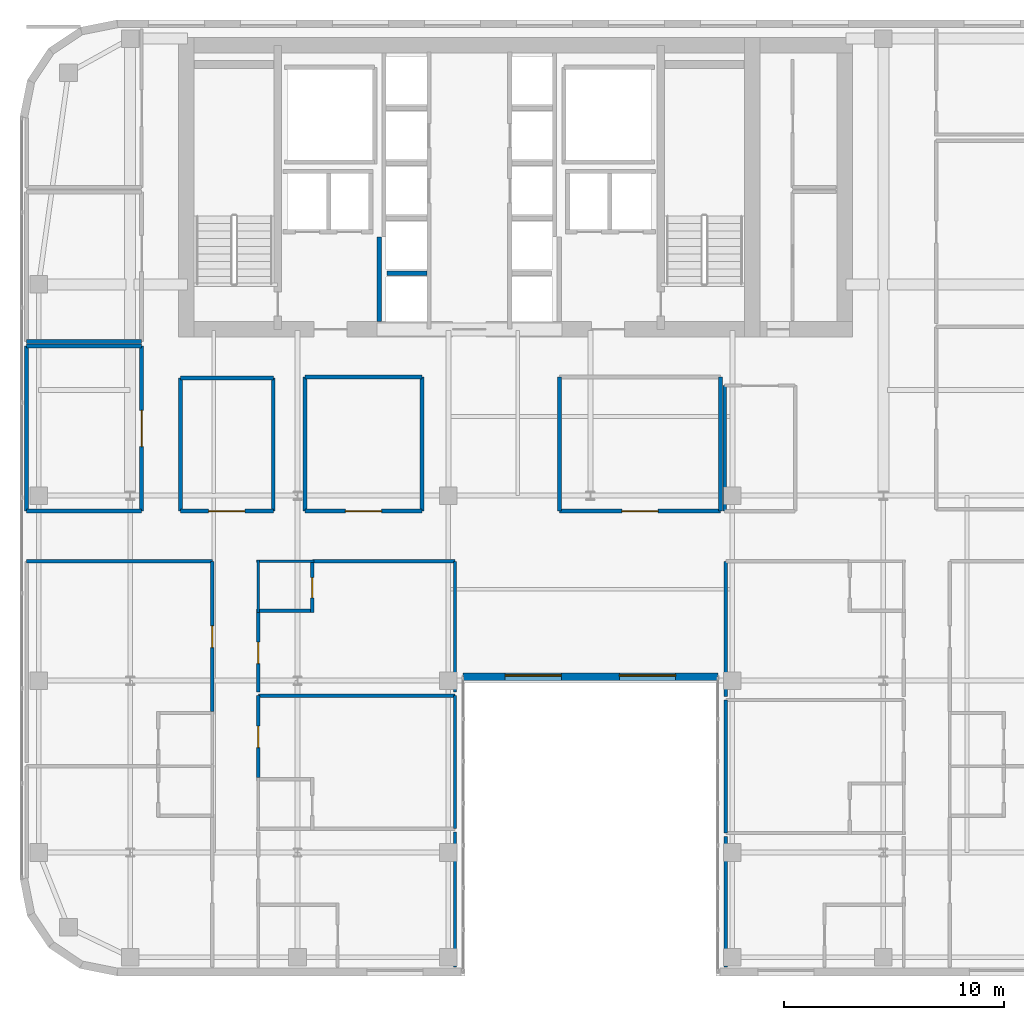
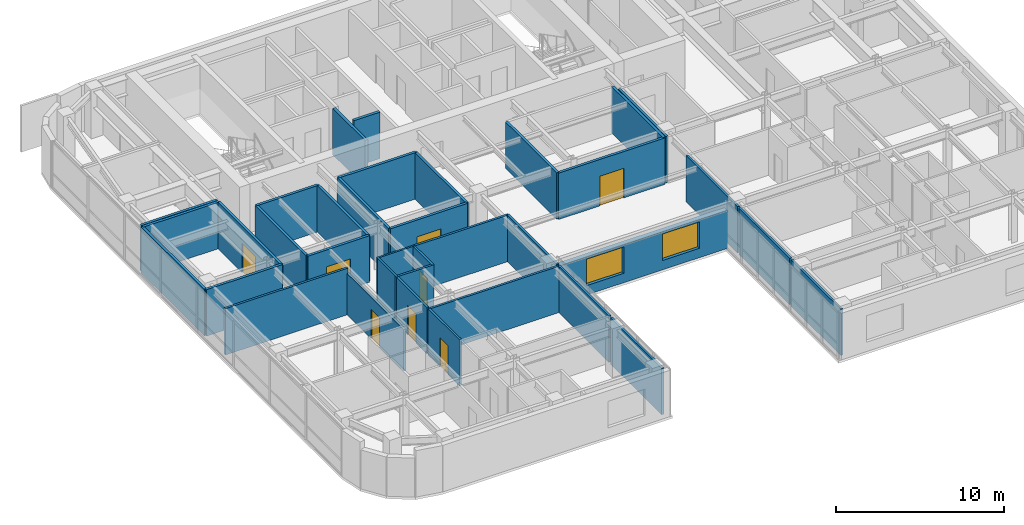
# One storey, part 18 of 24: 36 walls, 8 doors, 2 windows, 10 openings.
"""IFC4 building model written with IfcOpenShell, lengths in metres."""

from ifc_helpers import new_model, si_unit, direction, frame, frame_2d, origin, place, context, subcontext, project, spatial, rectangle, extrude, source, transform, mapped, material, layer, layer_set, type_object, type_shapes, element, fill, save


model = new_model("IFC4")

# Units and contexts
model_context = context("Model", 3, precision=1e-05, world=origin(), true_north=direction((0.0, 1.0)))
body_context = subcontext(model_context, "Body", "Model", "MODEL_VIEW")
ifc_project = project(units=[si_unit("LENGTHUNIT", "METRE"), si_unit("AREAUNIT", "SQUARE_METRE"), si_unit("VOLUMEUNIT", "CUBIC_METRE"), si_unit("PLANEANGLEUNIT", "RADIAN"), si_unit("MASSUNIT", "GRAM", prefix="KILO")], contexts=[model_context])

# Site, building, storey
site_placement = place(None, origin())
site = spatial("IfcSite", under=ifc_project, at=site_placement, CompositionType="ELEMENT")
building_placement = place(site_placement, origin())
building = spatial("IfcBuilding", under=site, at=building_placement, Name="Tolvann Quenvar Hotel", CompositionType="ELEMENT")
storey_placement = place(building_placement, frame((0.0, 0.0, 194.64990234375)))
storey = spatial("IfcBuildingStorey", under=building, at=storey_placement, Name="L51", CompositionType="ELEMENT", Elevation=194.64990234375)

# Wall, openings, windows
ifc_material_1 = material(Name="Kiln-fired red and buff architectural clay brickwork and terracotta masonry", Category="masonry")
ifc_layer_1 = layer(ifc_material_1, 0.35009765625)
ifc_layer_set_1 = layer_set([ifc_layer_1], Name="Kiln-fired red and buff architectural clay brickwork and terracotta masonry")
wall_type_1 = type_object("IfcWallType", Name="WALL_EXT_BRICK_350", PredefinedType="SOLIDWALL", material=ifc_layer_set_1)
wall_1_placement = place(storey_placement, frame((22.7099609375, 16.175048828125, 0.0), z_axis=(0.0, 0.0, 1.0), x_axis=(1.0, 0.0, 0.0)))
wall_1 = element("IfcWall", 1, at=wall_1_placement, inside=storey, type_object=wall_type_1, Name="Exterior Chicago Brick Wall L51-E06", PredefinedType="SOLIDWALL", context=body_context, shape_type="SweptSolid", body=[
    extrude(rectangle(XDim=11.580078125, YDim=0.35009765625, at=frame_2d((5.7900390625, 0.0))), origin(), (0.0, 0.0, 1.0), 2.758056640625),
])
opening_1_placement = place(wall_1_placement, frame((1.919921875, 0.0, 0.679931640625)))
opening_1 = element("IfcOpeningElement", 2, at=opening_1_placement, cuts=wall_1, Name="Opening W-09", PredefinedType="OPENING", context=body_context, shape_type="SweptSolid", body=[
    extrude(rectangle(XDim=2.550048828125, YDim=1.919921875, at=frame_2d((1.27490234375, 0.9599609375))), frame((0.0, 0.18505859375, 0.0), z_axis=(0.0, -1.0, 0.0), x_axis=(1.0, 0.0, 0.0)), (0.0, 0.0, 1.0), 0.3701171875),
])
opening_2_placement = place(wall_1_placement, frame((7.110107421875, 0.0, 0.679931640625)))
opening_2 = element("IfcOpeningElement", 3, at=opening_2_placement, cuts=wall_1, Name="Opening W-09", PredefinedType="OPENING", context=body_context, shape_type="SweptSolid", body=[
    extrude(rectangle(XDim=2.550048828125, YDim=1.919921875, at=frame_2d((1.27490234375, 0.9599609375))), frame((0.0, 0.18505859375, 0.0), z_axis=(0.0, -1.0, 0.0), x_axis=(1.0, 0.0, 0.0)), (0.0, 0.0, 1.0), 0.3701171875),
])
ifc_material_2 = material(Name="Thermally broken bronze-anodised aluminium frame with double low-E glazing", Category="aluminium")
window_type = type_object("IfcWindowType", Name="WIN_LNG_2550x1950", PartitioningType="TRIPLE_PANEL_HORIZONTAL", PredefinedType="WINDOW", material=ifc_material_2)
shared_shape_1 = source(origin(), body_context, "Body", "SweptSolid", [
    extrude(rectangle(XDim=2.550048828125, YDim=1.919921875, at=frame_2d((1.27490234375, 0.9599609375))), frame((0.0, 0.090087890625, 0.0), z_axis=(0.0, -1.0, 0.0), x_axis=(1.0, 0.0, 0.0)), (0.0, 0.0, 1.0), 0.06005859375),
])
type_shapes(window_type, [shared_shape_1])
window_1_placement = place(opening_1_placement, origin())
window_1 = element("IfcWindow", 4, at=window_1_placement, inside=storey, type_object=window_type, Name="Chicago Window W-09 (EW-L51-E06-W01)", OverallHeight=1.919921875, OverallWidth=2.550048828125, PartitioningType="TRIPLE_PANEL_HORIZONTAL", PredefinedType="WINDOW", context=body_context, shape_type="MappedRepresentation", body=[
    mapped(shared_shape_1, transform((0.0, 0.0, 0.0), x_axis=(1.0, 0.0, 0.0), y_axis=(0.0, 1.0, 0.0), z_axis=(0.0, 0.0, 1.0), scale=1.0)),
])
fill(opening_1, window_1)
window_2_placement = place(opening_2_placement, origin())
window_2 = element("IfcWindow", 5, at=window_2_placement, inside=storey, type_object=window_type, Name="Chicago Window W-09 (EW-L51-E06-W02)", OverallHeight=1.919921875, OverallWidth=2.550048828125, PartitioningType="TRIPLE_PANEL_HORIZONTAL", PredefinedType="WINDOW", context=body_context, shape_type="MappedRepresentation", body=[
    mapped(shared_shape_1, transform((0.0, 0.0, 0.0), x_axis=(1.0, 0.0, 0.0), y_axis=(0.0, 1.0, 0.0), z_axis=(0.0, 0.0, 1.0), scale=1.0)),
])
fill(opening_2, window_2)

# Walls
ifc_material_3 = material(Name="Acoustic twin-stud fire-rated gypsum plasterboard partition")
ifc_layer_2 = layer(ifc_material_3, 0.179931640625)
ifc_layer_set_2 = layer_set([ifc_layer_2], Name="Acoustic twin-stud fire-rated gypsum plasterboard partition")
wall_type_2 = type_object("IfcWallType", Name="WALL_PART_ACOUSTIC_180", PredefinedType="PARTITIONING", material=ifc_layer_set_2)
for number, where, z_axis, x_axis, name in (
    (6, (2.89990234375, 23.699951171875, 0.0), (0.0, 0.0, 1.0), (1.0, 0.0, 0.0), "Interior Partition PT-SPC-L51-SAL-S"),
    (7, (2.89990234375, 31.199951171875, 0.0), (0.0, 0.0, 1.0), (1.0, 0.0, 0.0), "Interior Partition PT-SPC-L51-SAL-N"),
):
    element("IfcWall", number, at=place(storey_placement, frame(where, z_axis=z_axis, x_axis=x_axis)), inside=storey, type_object=wall_type_2, Name=name, PredefinedType="PARTITIONING", context=body_context, shape_type="SweptSolid", body=[
        extrude(rectangle(XDim=5.22021484375, YDim=0.179931640625, at=frame_2d((2.610107421875, 0.0))), origin(), (0.0, 0.0, 1.0), 3.3701171875),
    ])
wall_2_placement = place(storey_placement, frame((2.89990234375, 23.699951171875, 0.0), z_axis=(0.0, 0.0, 1.0), x_axis=(0.0, 1.0, 0.0)))
element("IfcWall", 8, at=wall_2_placement, inside=storey, type_object=wall_type_2, Name="Interior Partition PT-SPC-L51-SAL-W", PredefinedType="PARTITIONING", context=body_context, shape_type="SweptSolid", body=[
    extrude(rectangle(XDim=7.5, YDim=0.179931640625, at=frame_2d((3.75, 0.0))), origin(), (0.0, 0.0, 1.0), 3.3701171875),
])

# Wall, opening, door
wall_3_placement = place(storey_placement, frame((8.1201171875, 23.699951171875, 0.0), z_axis=(0.0, 0.0, 1.0), x_axis=(0.0, 1.0, 0.0)))
wall_3 = element("IfcWall", 9, at=wall_3_placement, inside=storey, type_object=wall_type_2, Name="Interior Partition PT-SPC-L51-SAL-E", PredefinedType="PARTITIONING", context=body_context, shape_type="SweptSolid", body=[
    extrude(rectangle(XDim=7.5, YDim=0.179931640625, at=frame_2d((3.75, 0.0))), origin(), (0.0, 0.0, 1.0), 3.3701171875),
])
opening_3_placement = place(wall_3_placement, frame((2.925048828125, 0.0, 0.0)))
opening_3 = element("IfcOpeningElement", 10, at=opening_3_placement, cuts=wall_3, Name="Opening AD-01", PredefinedType="OPENING", context=body_context, shape_type="SweptSolid", body=[
    extrude(rectangle(XDim=1.64990234375, YDim=2.14990234375, at=frame_2d((0.824951171875, 1.074951171875))), frame((0.0, 0.10009765625, 0.0), z_axis=(0.0, -1.0, 0.0), x_axis=(1.0, 0.0, 0.0)), (0.0, 0.0, 1.0), 0.199951171875),
])
ifc_material_4 = material(Name="Solid-core American oak acoustic fire door leaf in steel frame", Category="steel")
door_type_1 = type_object("IfcDoorType", Name="DOOR_SALON_1650", OperationType="NOTDEFINED", PredefinedType="DOOR", material=ifc_material_4)
shared_shape_2 = source(origin(), body_context, "Body", "SweptSolid", [
    extrude(rectangle(XDim=1.64990234375, YDim=2.14990234375, at=frame_2d((0.824951171875, 1.074951171875))), frame((0.0, 0.02490234375, 0.0), z_axis=(0.0, -1.0, 0.0), x_axis=(1.0, 0.0, 0.0)), (0.0, 0.0, 1.0), 0.050048828125),
])
type_shapes(door_type_1, [shared_shape_2])
door_1_placement = place(opening_3_placement, origin())
door_1 = element("IfcDoor", 11, at=door_1_placement, inside=storey, type_object=door_type_1, Name="Interior Door DOOR-SPC-L51-SAL", OperationType="DOUBLE_DOOR_SINGLE_SWING", OverallHeight=2.14990234375, OverallWidth=1.64990234375, PredefinedType="DOOR", context=body_context, shape_type="MappedRepresentation", body=[
    mapped(shared_shape_2, transform((0.0, 0.0, 0.0), x_axis=(1.0, 0.0, 0.0), y_axis=(0.0, 1.0, 0.0), z_axis=(0.0, 0.0, 1.0), scale=1.0)),
])
fill(opening_3, door_1)

# Wall
wall_4_placement = place(storey_placement, frame((2.89990234375, 31.39990234375, 0.0), z_axis=(0.0, 0.0, 1.0), x_axis=(1.0, 0.0, 0.0)))
element("IfcWall", 12, at=wall_4_placement, inside=storey, type_object=wall_type_2, Name="Interior Partition PT-SPC-L51-MTG-S", PredefinedType="PARTITIONING", context=body_context, shape_type="SweptSolid", body=[
    extrude(rectangle(XDim=5.22021484375, YDim=0.179931640625, at=frame_2d((2.610107421875, 0.0))), origin(), (0.0, 0.0, 1.0), 3.3701171875),
])

# Wall, opening, door
wall_5_placement = place(storey_placement, frame((9.8798828125, 23.699951171875, 0.0), z_axis=(0.0, 0.0, 1.0), x_axis=(1.0, 0.0, 0.0)))
wall_5 = element("IfcWall", 13, at=wall_5_placement, inside=storey, type_object=wall_type_2, Name="Interior Partition PT-SPC-L51-MSP-W-S", PredefinedType="PARTITIONING", context=body_context, shape_type="SweptSolid", body=[
    extrude(rectangle(XDim=4.22021484375, YDim=0.179931640625, at=frame_2d((2.110107421875, 0.0))), origin(), (0.0, 0.0, 1.0), 3.3701171875),
])
opening_4_placement = place(wall_5_placement, frame((1.284912109375, 0.0, 0.0)))
opening_4 = element("IfcOpeningElement", 14, at=opening_4_placement, cuts=wall_5, Name="Opening AD-01", PredefinedType="OPENING", context=body_context, shape_type="SweptSolid", body=[
    extrude(rectangle(XDim=1.64990234375, YDim=2.14990234375, at=frame_2d((0.824951171875, 1.074951171875))), frame((0.0, 0.10009765625, 0.0), z_axis=(0.0, -1.0, 0.0), x_axis=(1.0, 0.0, 0.0)), (0.0, 0.0, 1.0), 0.199951171875),
])
door_2_placement = place(opening_4_placement, origin())
door_2 = element("IfcDoor", 15, at=door_2_placement, inside=storey, type_object=door_type_1, Name="Interior Door DOOR-SPC-L51-MSP-W", OperationType="DOUBLE_DOOR_SINGLE_SWING", OverallHeight=2.14990234375, OverallWidth=1.64990234375, PredefinedType="DOOR", context=body_context, shape_type="MappedRepresentation", body=[
    mapped(shared_shape_2, transform((0.0, 0.0, 0.0), x_axis=(1.0, 0.0, 0.0), y_axis=(0.0, 1.0, 0.0), z_axis=(0.0, 0.0, 1.0), scale=1.0)),
])
fill(opening_4, door_2)

# Walls
wall_6_placement = place(storey_placement, frame((9.8798828125, 29.75, 0.0), z_axis=(0.0, 0.0, 1.0), x_axis=(1.0, 0.0, 0.0)))
element("IfcWall", 16, at=wall_6_placement, inside=storey, type_object=wall_type_2, Name="Interior Partition PT-SPC-L51-MSP-W-N", PredefinedType="PARTITIONING", context=body_context, shape_type="SweptSolid", body=[
    extrude(rectangle(XDim=4.22021484375, YDim=0.179931640625, at=frame_2d((2.110107421875, 0.0))), origin(), (0.0, 0.0, 1.0), 3.3701171875),
])
for number, where, z_axis, x_axis, name in (
    (17, (9.8798828125, 23.699951171875, 0.0), (0.0, 0.0, 1.0), (0.0, 1.0, 0.0), "Interior Partition PT-SPC-L51-MSP-W-W"),
    (18, (14.10009765625, 23.699951171875, 0.0), (0.0, 0.0, 1.0), (0.0, 1.0, 0.0), "Interior Partition PT-SPC-L51-MSP-W-E"),
):
    element("IfcWall", number, at=place(storey_placement, frame(where, z_axis=z_axis, x_axis=x_axis)), inside=storey, type_object=wall_type_2, Name=name, PredefinedType="PARTITIONING", context=body_context, shape_type="SweptSolid", body=[
        extrude(rectangle(XDim=6.050048828125, YDim=0.179931640625, at=frame_2d((3.02490234375, 0.0))), origin(), (0.0, 0.0, 1.0), 3.3701171875),
    ])

# Wall, opening, door
wall_7_placement = place(storey_placement, frame((27.10009765625, 23.699951171875, 0.0), z_axis=(0.0, 0.0, 1.0), x_axis=(1.0, 0.0, 0.0)))
wall_7 = element("IfcWall", 19, at=wall_7_placement, inside=storey, type_object=wall_type_2, Name="Interior Partition PT-SPC-L51-MSP-C-S", PredefinedType="PARTITIONING", context=body_context, shape_type="SweptSolid", body=[
    extrude(rectangle(XDim=7.2998046875, YDim=0.179931640625, at=frame_2d((3.64990234375, 0.0))), origin(), (0.0, 0.0, 1.0), 3.3701171875),
])
opening_5_placement = place(wall_7_placement, frame((2.824951171875, 0.0, 0.0)))
opening_5 = element("IfcOpeningElement", 20, at=opening_5_placement, cuts=wall_7, Name="Opening AD-01", PredefinedType="OPENING", context=body_context, shape_type="SweptSolid", body=[
    extrude(rectangle(XDim=1.64990234375, YDim=2.14990234375, at=frame_2d((0.824951171875, 1.074951171875))), frame((0.0, 0.10009765625, 0.0), z_axis=(0.0, -1.0, 0.0), x_axis=(1.0, 0.0, 0.0)), (0.0, 0.0, 1.0), 0.199951171875),
])
door_3_placement = place(opening_5_placement, origin())
door_3 = element("IfcDoor", 21, at=door_3_placement, inside=storey, type_object=door_type_1, Name="Interior Door DOOR-SPC-L51-MSP-C", OperationType="DOUBLE_DOOR_SINGLE_SWING", OverallHeight=2.14990234375, OverallWidth=1.64990234375, PredefinedType="DOOR", context=body_context, shape_type="MappedRepresentation", body=[
    mapped(shared_shape_2, transform((0.0, 0.0, 0.0), x_axis=(1.0, 0.0, 0.0), y_axis=(0.0, 1.0, 0.0), z_axis=(0.0, 0.0, 1.0), scale=1.0)),
])
fill(opening_5, door_3)

# Walls
for number, where, z_axis, x_axis, name in (
    (22, (27.10009765625, 23.699951171875, 0.0), (0.0, 0.0, 1.0), (0.0, 1.0, 0.0), "Interior Partition PT-SPC-L51-MSP-C-W"),
    (23, (34.39990234375, 23.699951171875, 0.0), (0.0, 0.0, 1.0), (0.0, 1.0, 0.0), "Interior Partition PT-SPC-L51-MSP-C-E"),
):
    element("IfcWall", number, at=place(storey_placement, frame(where, z_axis=z_axis, x_axis=x_axis)), inside=storey, type_object=wall_type_2, Name=name, PredefinedType="PARTITIONING", context=body_context, shape_type="SweptSolid", body=[
        extrude(rectangle(XDim=6.10009765625, YDim=0.179931640625, at=frame_2d((3.050048828125, 0.0))), origin(), (0.0, 0.0, 1.0), 3.3701171875),
    ])

# Wall, opening, door
wall_8_placement = place(storey_placement, frame((15.550048828125, 23.699951171875, 0.0), z_axis=(0.0, 0.0, 1.0), x_axis=(1.0, 0.0, 0.0)))
wall_8 = element("IfcWall", 24, at=wall_8_placement, inside=storey, type_object=wall_type_2, Name="Interior Partition PT-SPC-L51-MSP-N-S", PredefinedType="PARTITIONING", context=body_context, shape_type="SweptSolid", body=[
    extrude(rectangle(XDim=5.300048828125, YDim=0.179931640625, at=frame_2d((2.64990234375, 0.0))), origin(), (0.0, 0.0, 1.0), 3.3701171875),
])
opening_6_placement = place(wall_8_placement, frame((1.824951171875, 0.0, 0.0)))
opening_6 = element("IfcOpeningElement", 25, at=opening_6_placement, cuts=wall_8, Name="Opening AD-01", PredefinedType="OPENING", context=body_context, shape_type="SweptSolid", body=[
    extrude(rectangle(XDim=1.64990234375, YDim=2.14990234375, at=frame_2d((0.824951171875, 1.074951171875))), frame((0.0, 0.10009765625, 0.0), z_axis=(0.0, -1.0, 0.0), x_axis=(1.0, 0.0, 0.0)), (0.0, 0.0, 1.0), 0.199951171875),
])
door_4_placement = place(opening_6_placement, origin())
door_4 = element("IfcDoor", 26, at=door_4_placement, inside=storey, type_object=door_type_1, Name="Interior Door DOOR-SPC-L51-MSP-N", OperationType="DOUBLE_DOOR_SINGLE_SWING", OverallHeight=2.14990234375, OverallWidth=1.64990234375, PredefinedType="DOOR", context=body_context, shape_type="MappedRepresentation", body=[
    mapped(shared_shape_2, transform((0.0, 0.0, 0.0), x_axis=(1.0, 0.0, 0.0), y_axis=(0.0, 1.0, 0.0), z_axis=(0.0, 0.0, 1.0), scale=1.0)),
])
fill(opening_6, door_4)

# Walls
wall_9_placement = place(storey_placement, frame((15.550048828125, 29.800048828125, 0.0), z_axis=(0.0, 0.0, 1.0), x_axis=(1.0, 0.0, 0.0)))
element("IfcWall", 27, at=wall_9_placement, inside=storey, type_object=wall_type_2, Name="Interior Partition PT-SPC-L51-MSP-N-N", PredefinedType="PARTITIONING", context=body_context, shape_type="SweptSolid", body=[
    extrude(rectangle(XDim=5.300048828125, YDim=0.179931640625, at=frame_2d((2.64990234375, 0.0))), origin(), (0.0, 0.0, 1.0), 3.3701171875),
])
for number, where, z_axis, x_axis, name in (
    (28, (15.550048828125, 23.699951171875, 0.0), (0.0, 0.0, 1.0), (0.0, 1.0, 0.0), "Interior Partition PT-SPC-L51-MSP-N-W"),
    (29, (20.85009765625, 23.699951171875, 0.0), (0.0, 0.0, 1.0), (0.0, 1.0, 0.0), "Interior Partition PT-SPC-L51-MSP-N-E"),
):
    element("IfcWall", number, at=place(storey_placement, frame(where, z_axis=z_axis, x_axis=x_axis)), inside=storey, type_object=wall_type_2, Name=name, PredefinedType="PARTITIONING", context=body_context, shape_type="SweptSolid", body=[
        extrude(rectangle(XDim=6.10009765625, YDim=0.179931640625, at=frame_2d((3.050048828125, 0.0))), origin(), (0.0, 0.0, 1.0), 3.3701171875),
    ])
ifc_material_5 = material(Name="Moisture-resistant acoustic plumbing wall assembly")
ifc_layer_3 = layer(ifc_material_5, 0.1201171875)
ifc_layer_set_3 = layer_set([ifc_layer_3], Name="Moisture-resistant acoustic plumbing wall assembly")
wall_type_3 = type_object("IfcWallType", Name="WALL_PART_BATH_120", PredefinedType="PLUMBINGWALL", material=ifc_layer_set_3)
wall_10_placement = place(storey_placement, frame((13.35009765625, 21.419921875, 0.0), z_axis=(0.0, 0.0, 1.0), x_axis=(1.0, 0.0, 0.0)))
element("IfcWall", 30, at=wall_10_placement, inside=storey, type_object=wall_type_3, Name="Non-Rated Plumbing Partition PT-SPC-L51-ENS-WI03-N", PredefinedType="PLUMBINGWALL", context=body_context, shape_type="SweptSolid", body=[
    extrude(rectangle(XDim=2.58984375, YDim=0.1201171875, at=frame_2d((1.294921875, 0.0))), origin(), (0.0, 0.0, 1.0), 3.3701171875),
])
wall_11_placement = place(storey_placement, frame((13.419921875, 19.10009765625, 0.0), z_axis=(0.0, 0.0, 1.0), x_axis=(0.0, 1.0, 0.0)))
element("IfcWall", 31, at=wall_11_placement, inside=storey, type_object=wall_type_3, Name="Non-Rated Plumbing Partition PT-SPC-L51-ENS-WI03-W", PredefinedType="PLUMBINGWALL", context=body_context, shape_type="SweptSolid", body=[
    extrude(rectangle(XDim=2.389892578125, YDim=0.1201171875, at=frame_2d((1.19482421875, 0.0))), origin(), (0.0, 0.0, 1.0), 3.3701171875),
])

# Wall, opening, door
ifc_layer_4 = layer(ifc_material_3, 0.14990234375)
ifc_layer_set_4 = layer_set([ifc_layer_4], Name="Acoustic twin-stud fire-rated gypsum plasterboard partition")
wall_type_4 = type_object("IfcWallType", Name="WALL_PART_SUITE_150", PredefinedType="PARTITIONING", material=ifc_layer_set_4)
wall_12_placement = place(storey_placement, frame((15.8701171875, 19.10009765625, 0.0), z_axis=(0.0, 0.0, 1.0), x_axis=(0.0, 1.0, 0.0)))
wall_12 = element("IfcWall", 32, at=wall_12_placement, inside=storey, type_object=wall_type_4, Name="Interior Partition PT-SPC-L51-ENS-WI03-ENT", PredefinedType="PARTITIONING", context=body_context, shape_type="SweptSolid", body=[
    extrude(rectangle(XDim=2.389892578125, YDim=0.14990234375, at=frame_2d((1.19482421875, 0.0))), origin(), (0.0, 0.0, 1.0), 3.3701171875),
])
opening_7_placement = place(wall_12_placement, frame((0.6650390625, 0.0, 0.0)))
opening_7 = element("IfcOpeningElement", 33, at=opening_7_placement, cuts=wall_12, Name="Opening WD-01", PredefinedType="OPENING", context=body_context, shape_type="SweptSolid", body=[
    extrude(rectangle(XDim=0.919921875, YDim=2.010009765625, at=frame_2d((0.4599609375, 1.0048828125))), frame((0.0, 0.0849609375, 0.0), z_axis=(0.0, -1.0, 0.0), x_axis=(1.0, 0.0, 0.0)), (0.0, 0.0, 1.0), 0.169921875),
])
door_type_2 = type_object("IfcDoorType", Name="DOOR_WC_920", OperationType="NOTDEFINED", PredefinedType="DOOR", material=ifc_material_4)
shared_shape_3 = source(origin(), body_context, "Body", "SweptSolid", [
    extrude(rectangle(XDim=0.919921875, YDim=2.010009765625, at=frame_2d((0.4599609375, 1.0048828125))), frame((0.0, 0.02490234375, 0.0), z_axis=(0.0, -1.0, 0.0), x_axis=(1.0, 0.0, 0.0)), (0.0, 0.0, 1.0), 0.050048828125),
])
type_shapes(door_type_2, [shared_shape_3])
door_5_placement = place(opening_7_placement, origin())
door_5 = element("IfcDoor", 34, at=door_5_placement, inside=storey, type_object=door_type_2, Name="Interior Door DOOR-SPC-L51-ENS-WI03", OperationType="SINGLE_SWING_RIGHT", OverallHeight=2.010009765625, OverallWidth=0.919921875, PredefinedType="DOOR", context=body_context, shape_type="MappedRepresentation", body=[
    mapped(shared_shape_3, transform((0.0, 0.0, 0.0), x_axis=(1.0, 0.0, 0.0), y_axis=(0.0, 1.0, 0.0), z_axis=(0.0, 0.0, 1.0), scale=1.0)),
])
fill(opening_7, door_5)

# Wall
wall_13_placement = place(storey_placement, frame((13.35009765625, 19.169921875, 0.0), z_axis=(0.0, 0.0, 1.0), x_axis=(1.0, 0.0, 0.0)))
element("IfcWall", 35, at=wall_13_placement, inside=storey, type_object=wall_type_4, Name="Interior Partition PT-SPC-L51-ENS-WI03-S", PredefinedType="PARTITIONING", context=body_context, shape_type="SweptSolid", body=[
    extrude(rectangle(XDim=2.58984375, YDim=0.14990234375, at=frame_2d((1.294921875, 0.0))), origin(), (0.0, 0.0, 1.0), 3.3701171875),
])

# Wall, opening, door
wall_14_placement = place(storey_placement, frame((11.330078125, 14.610107421875, 0.0), z_axis=(0.0, 0.0, 1.0), x_axis=(0.0, 1.0, 0.0)))
wall_14 = element("IfcWall", 36, at=wall_14_placement, inside=storey, type_object=wall_type_4, Name="Interior Partition PT-SPC-L51-RM-WO02-ENT", PredefinedType="PARTITIONING", context=body_context, shape_type="SweptSolid", body=[
    extrude(rectangle(XDim=6.809814453125, YDim=0.14990234375, at=frame_2d((3.40478515625, 0.0))), origin(), (0.0, 0.0, 1.0), 3.0009765625),
])
opening_8_placement = place(wall_14_placement, frame((2.89501953125, 0.0, 0.0)))
opening_8 = element("IfcOpeningElement", 37, at=opening_8_placement, cuts=wall_14, Name="Opening SD-01", PredefinedType="OPENING", context=body_context, shape_type="SweptSolid", body=[
    extrude(rectangle(XDim=0.97998046875, YDim=2.1201171875, at=frame_2d((0.489990234375, 1.06005859375))), frame((0.0, 0.0849609375, 0.0), z_axis=(0.0, -1.0, 0.0), x_axis=(1.0, 0.0, 0.0)), (0.0, 0.0, 1.0), 0.169921875),
])
door_type_3 = type_object("IfcDoorType", Name="DOOR_SUITE_980", OperationType="NOTDEFINED", PredefinedType="DOOR", material=ifc_material_4)
shared_shape_4 = source(origin(), body_context, "Body", "SweptSolid", [
    extrude(rectangle(XDim=0.97998046875, YDim=2.1201171875, at=frame_2d((0.489990234375, 1.06005859375))), frame((0.0, 0.02490234375, 0.0), z_axis=(0.0, -1.0, 0.0), x_axis=(1.0, 0.0, 0.0)), (0.0, 0.0, 1.0), 0.050048828125),
])
type_shapes(door_type_3, [shared_shape_4])
door_6_placement = place(opening_8_placement, origin())
door_6 = element("IfcDoor", 38, at=door_6_placement, inside=storey, type_object=door_type_3, Name="Interior Door DOOR-SPC-L51-RM-WO02", OperationType="SINGLE_SWING_LEFT", OverallHeight=2.1201171875, OverallWidth=0.97998046875, PredefinedType="DOOR", context=body_context, shape_type="MappedRepresentation", body=[
    mapped(shared_shape_4, transform((0.0, 0.0, 0.0), x_axis=(1.0, 0.0, 0.0), y_axis=(0.0, 1.0, 0.0), z_axis=(0.0, 0.0, 1.0), scale=1.0)),
])
fill(opening_8, door_6)

# Walls
wall_15_placement = place(storey_placement, frame((2.89990234375, 21.419921875, 0.0), z_axis=(0.0, 0.0, 1.0), x_axis=(1.0, 0.0, 0.0)))
element("IfcWall", 39, at=wall_15_placement, inside=storey, type_object=wall_type_4, Name="Interior Partition PT-SPC-L51-RM-WO02-E5", PredefinedType="PARTITIONING", context=body_context, shape_type="SweptSolid", body=[
    extrude(rectangle(XDim=8.43017578125, YDim=0.14990234375, at=frame_2d((4.215087890625, 0.0))), origin(), (0.0, 0.0, 1.0), 3.3701171875),
])
wall_16_placement = place(storey_placement, frame((22.35009765625, 3.0048828125, 0.0), z_axis=(0.0, 0.0, 1.0), x_axis=(0.0, 1.0, 0.0)))
element("IfcWall", 40, at=wall_16_placement, inside=storey, type_object=wall_type_4, Name="Interior Partition PT-SPC-L51-RM-WI01-E4", PredefinedType="PARTITIONING", context=body_context, shape_type="SweptSolid", body=[
    extrude(rectangle(XDim=6.115234375, YDim=0.14990234375, at=frame_2d((3.0576171875, 0.0))), origin(), (0.0, 0.0, 1.0), 3.3701171875),
])

# Wall, opening, door
wall_17_placement = place(storey_placement, frame((13.419921875, 11.610107421875, 0.0), z_axis=(0.0, 0.0, 1.0), x_axis=(0.0, 1.0, 0.0)))
wall_17 = element("IfcWall", 41, at=wall_17_placement, inside=storey, type_object=wall_type_4, Name="Interior Partition PT-SPC-L51-RM-WI02-ENT", PredefinedType="PARTITIONING", context=body_context, shape_type="SweptSolid", body=[
    extrude(rectangle(XDim=3.7099609375, YDim=0.14990234375, at=frame_2d((1.85498046875, 0.0))), origin(), (0.0, 0.0, 1.0), 3.3701171875),
])
opening_9_placement = place(wall_17_placement, frame((1.344970703125, 0.0, 0.0)))
opening_9 = element("IfcOpeningElement", 42, at=opening_9_placement, cuts=wall_17, Name="Opening SD-01", PredefinedType="OPENING", context=body_context, shape_type="SweptSolid", body=[
    extrude(rectangle(XDim=0.97998046875, YDim=2.1201171875, at=frame_2d((0.489990234375, 1.06005859375))), frame((0.0, 0.0849609375, 0.0), z_axis=(0.0, -1.0, 0.0), x_axis=(1.0, 0.0, 0.0)), (0.0, 0.0, 1.0), 0.169921875),
])
door_7_placement = place(opening_9_placement, origin())
door_7 = element("IfcDoor", 43, at=door_7_placement, inside=storey, type_object=door_type_3, Name="Interior Door DOOR-SPC-L51-RM-WI02", OperationType="SINGLE_SWING_LEFT", OverallHeight=2.1201171875, OverallWidth=0.97998046875, PredefinedType="DOOR", context=body_context, shape_type="MappedRepresentation", body=[
    mapped(shared_shape_4, transform((0.0, 0.0, 0.0), x_axis=(1.0, 0.0, 0.0), y_axis=(0.0, 1.0, 0.0), z_axis=(0.0, 0.0, 1.0), scale=1.0)),
])
fill(opening_9, door_7)

# Walls
wall_18_placement = place(storey_placement, frame((22.35009765625, 9.280029296875, 0.0), z_axis=(0.0, 0.0, 1.0), x_axis=(0.0, 1.0, 0.0)))
element("IfcWall", 44, at=wall_18_placement, inside=storey, type_object=wall_type_4, Name="Interior Partition PT-SPC-L51-RM-WI02-E4", PredefinedType="PARTITIONING", context=body_context, shape_type="SweptSolid", body=[
    extrude(rectangle(XDim=6.0400390625, YDim=0.14990234375, at=frame_2d((3.02001953125, 0.0))), origin(), (0.0, 0.0, 1.0), 3.3701171875),
])
wall_19_placement = place(storey_placement, frame((13.419921875, 15.320068359375, 0.0), z_axis=(0.0, 0.0, 1.0), x_axis=(1.0, 0.0, 0.0)))
element("IfcWall", 45, at=wall_19_placement, inside=storey, type_object=wall_type_4, Name="Interior Partition PT-SPC-L51-RM-WI02-E5", PredefinedType="PARTITIONING", context=body_context, shape_type="SweptSolid", body=[
    extrude(rectangle(XDim=8.93017578125, YDim=0.14990234375, at=frame_2d((4.465087890625, 0.0))), origin(), (0.0, 0.0, 1.0), 3.3701171875),
])

# Wall, opening, door
wall_20_placement = place(storey_placement, frame((13.419921875, 15.47998046875, 0.0), z_axis=(0.0, 0.0, 1.0), x_axis=(0.0, 1.0, 0.0)))
wall_20 = element("IfcWall", 46, at=wall_20_placement, inside=storey, type_object=wall_type_4, Name="Interior Partition PT-SPC-L51-RM-WI03-ENT", PredefinedType="PARTITIONING", context=body_context, shape_type="SweptSolid", body=[
    extrude(rectangle(XDim=3.610107421875, YDim=0.14990234375, at=frame_2d((1.80517578125, 0.0))), origin(), (0.0, 0.0, 1.0), 3.3701171875),
])
opening_10_placement = place(wall_20_placement, frame((1.294921875, 0.0, 0.0)))
opening_10 = element("IfcOpeningElement", 47, at=opening_10_placement, cuts=wall_20, Name="Opening SD-01", PredefinedType="OPENING", context=body_context, shape_type="SweptSolid", body=[
    extrude(rectangle(XDim=0.97998046875, YDim=2.1201171875, at=frame_2d((0.489990234375, 1.06005859375))), frame((0.0, 0.0849609375, 0.0), z_axis=(0.0, -1.0, 0.0), x_axis=(1.0, 0.0, 0.0)), (0.0, 0.0, 1.0), 0.169921875),
])
door_8_placement = place(opening_10_placement, origin())
door_8 = element("IfcDoor", 48, at=door_8_placement, inside=storey, type_object=door_type_3, Name="Interior Door DOOR-SPC-L51-RM-WI03", OperationType="SINGLE_SWING_RIGHT", OverallHeight=2.1201171875, OverallWidth=0.97998046875, PredefinedType="DOOR", context=body_context, shape_type="MappedRepresentation", body=[
    mapped(shared_shape_4, transform((0.0, 0.0, 0.0), x_axis=(1.0, 0.0, 0.0), y_axis=(0.0, 1.0, 0.0), z_axis=(0.0, 0.0, 1.0), scale=1.0)),
])
fill(opening_10, door_8)

# Walls
wall_21_placement = place(storey_placement, frame((22.35009765625, 15.47998046875, 0.0), z_axis=(0.0, 0.0, 1.0), x_axis=(0.0, 1.0, 0.0)))
element("IfcWall", 49, at=wall_21_placement, inside=storey, type_object=wall_type_4, Name="Interior Partition PT-SPC-L51-RM-WI03-E2", PredefinedType="PARTITIONING", context=body_context, shape_type="SweptSolid", body=[
    extrude(rectangle(XDim=5.93994140625, YDim=0.14990234375, at=frame_2d((2.969970703125, 0.0))), origin(), (0.0, 0.0, 1.0), 3.3701171875),
])
wall_22_placement = place(storey_placement, frame((15.889892578125, 21.419921875, 0.0), z_axis=(0.0, 0.0, 1.0), x_axis=(1.0, 0.0, 0.0)))
element("IfcWall", 50, at=wall_22_placement, inside=storey, type_object=wall_type_4, Name="Interior Partition PT-SPC-L51-RM-WI03-E3", PredefinedType="PARTITIONING", context=body_context, shape_type="SweptSolid", body=[
    extrude(rectangle(XDim=6.460205078125, YDim=0.14990234375, at=frame_2d((3.22998046875, 0.0))), origin(), (0.0, 0.0, 1.0), 3.3701171875),
])
wall_23_placement = place(storey_placement, frame((34.64990234375, 3.0048828125, 0.0), z_axis=(0.0, 0.0, 1.0), x_axis=(0.0, 1.0, 0.0)))
element("IfcWall", 51, at=wall_23_placement, inside=storey, type_object=wall_type_4, Name="Interior Partition PT-SPC-L51-RM-EI01-E6", PredefinedType="PARTITIONING", context=body_context, shape_type="SweptSolid", body=[
    extrude(rectangle(XDim=5.9150390625, YDim=0.14990234375, at=frame_2d((2.95751953125, 0.0))), origin(), (0.0, 0.0, 1.0), 3.3701171875),
])
wall_24_placement = place(storey_placement, frame((34.64990234375, 9.080078125, 0.0), z_axis=(0.0, 0.0, 1.0), x_axis=(0.0, 1.0, 0.0)))
element("IfcWall", 52, at=wall_24_placement, inside=storey, type_object=wall_type_4, Name="Interior Partition PT-SPC-L51-RM-EI02-E6", PredefinedType="PARTITIONING", context=body_context, shape_type="SweptSolid", body=[
    extrude(rectangle(XDim=6.0400390625, YDim=0.14990234375, at=frame_2d((3.02001953125, 0.0))), origin(), (0.0, 0.0, 1.0), 3.3701171875),
])
wall_25_placement = place(storey_placement, frame((34.64990234375, 15.280029296875, 0.0), z_axis=(0.0, 0.0, 1.0), x_axis=(0.0, 1.0, 0.0)))
element("IfcWall", 53, at=wall_25_placement, inside=storey, type_object=wall_type_4, Name="Interior Partition PT-SPC-L51-RM-EI03-E6", PredefinedType="PARTITIONING", context=body_context, shape_type="SweptSolid", body=[
    extrude(rectangle(XDim=6.139892578125, YDim=0.14990234375, at=frame_2d((3.06982421875, 0.0))), origin(), (0.0, 0.0, 1.0), 3.3701171875),
])
wall_26_placement = place(storey_placement, frame((34.60009765625, 23.699951171875, 0.0), z_axis=(0.0, 0.0, 1.0), x_axis=(0.0, 1.0, 0.0)))
element("IfcWall", 54, at=wall_26_placement, inside=storey, type_object=wall_type_4, Name="Interior Partition PT-SPC-L51-MSP-E-W", PredefinedType="PARTITIONING", context=body_context, shape_type="SweptSolid", body=[
    extrude(rectangle(XDim=5.699951171875, YDim=0.14990234375, at=frame_2d((2.85009765625, 0.0))), origin(), (0.0, 0.0, 1.0), 3.3701171875),
])
ifc_material_6 = material(Name="Concrete N40 (40 MPa)", Category="concrete")
ifc_layer_5 = layer(ifc_material_6, 0.199951171875)
ifc_layer_set_5 = layer_set([ifc_layer_5], Name="Concrete N40 (40 MPa)")
wall_type_5 = type_object("IfcWallType", Name="WALL_SHAFT_200", PredefinedType="SOLIDWALL", material=ifc_layer_set_5)
wall_27_placement = place(storey_placement, frame((18.919921875, 32.303955078125, 0.0), z_axis=(0.0, 0.0, 1.0), x_axis=(0.0, 1.0, 0.0)))
element("IfcWall", 55, at=wall_27_placement, inside=storey, type_object=wall_type_5, Name="Firefighting Lobby W Inner Fire Wall (L51)", PredefinedType="SOLIDWALL", context=body_context, shape_type="SweptSolid", body=[
    extrude(rectangle(XDim=3.845947265625, YDim=0.199951171875, at=frame_2d((1.9228515625, 0.0))), origin(), (0.0, 0.0, 1.0), 3.3701171875),
])
wall_28_placement = place(storey_placement, frame((19.27001953125, 34.5, 0.0), z_axis=(0.0, 0.0, 1.0), x_axis=(1.0, 0.0, 0.0)))
element("IfcWall", 56, at=wall_28_placement, inside=storey, type_object=wall_type_5, Name="Lift Bank E21.1C1 Divider Wall 1 (L51)", PredefinedType="SOLIDWALL", context=body_context, shape_type="SweptSolid", body=[
    extrude(rectangle(XDim=1.800048828125, YDim=0.199951171875, at=frame_2d((0.89990234375, 0.0))), origin(), (0.0, 0.0, 1.0), 3.3701171875),
])

save(model, "model.ifc")
